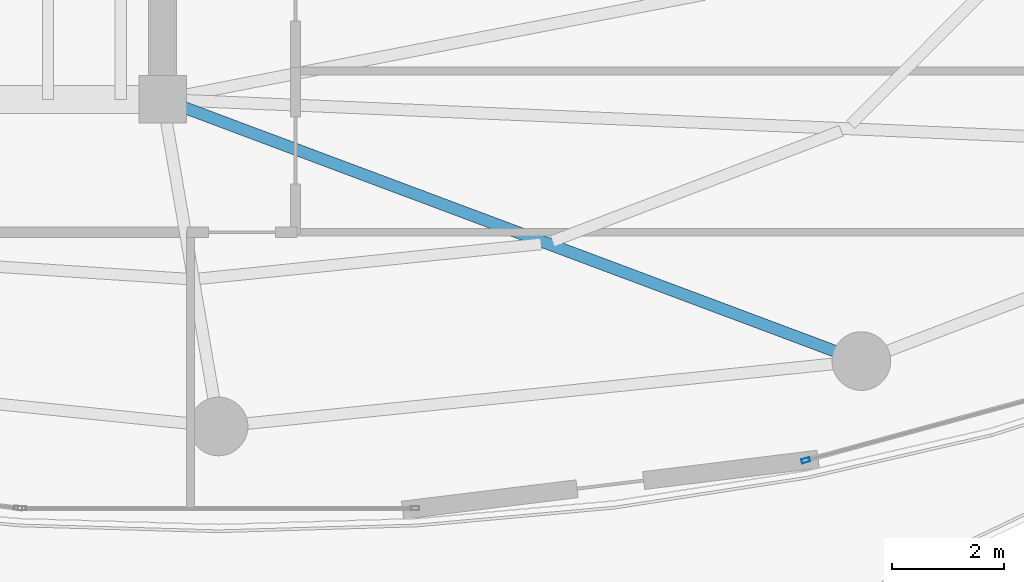
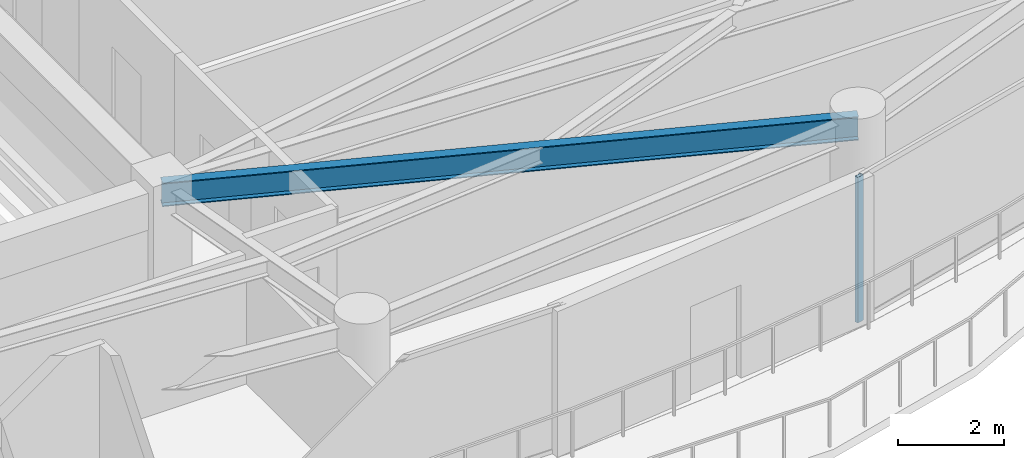
# One storey, part 11 of 31: 1 beam, 1 member, 1 element without a shape of its own.
"""IFC4 building model written with IfcOpenShell, lengths in metres."""

from ifc_helpers import new_model, si_unit, direction, frame, origin, origin_2d, place, context, subcontext, project, spatial, hollow_rectangle, i_section, extrude, material, layer, layer_set, material_profile, profile_set, type_object, element, aggregate, save


model = new_model("IFC4")

# Units and contexts
model_context = context("Model", 3, precision=1e-05, world=origin(), true_north=direction((0.0, 1.0)))
body_context = subcontext(model_context, "Body", "Model", "MODEL_VIEW")
ifc_project = project(units=[si_unit("LENGTHUNIT", "METRE"), si_unit("AREAUNIT", "SQUARE_METRE"), si_unit("VOLUMEUNIT", "CUBIC_METRE"), si_unit("PLANEANGLEUNIT", "RADIAN"), si_unit("MASSUNIT", "GRAM", prefix="KILO")], contexts=[model_context])

# Site, building, storey
site_placement = place(None, origin())
site = spatial("IfcSite", under=ifc_project, at=site_placement, CompositionType="ELEMENT")
building_placement = place(site_placement, origin())
building = spatial("IfcBuilding", under=site, at=building_placement, Name="Kazevale Care Tower and Concert Hall", CompositionType="ELEMENT")
storey_placement = place(building_placement, frame((0.0, 0.0, 235.199951171875)))
storey = spatial("IfcBuildingStorey", under=building, at=storey_placement, Name="L62", CompositionType="ELEMENT", Elevation=235.199951171875)

# Curtain wall, member
ifc_material_1 = material(Name="Aluminium 6063-T6 and Low-E Glass", Category="aluminium")
ifc_layer = layer(ifc_material_1, 0.179931640625)
ifc_layer_set = layer_set([ifc_layer], Name="Aluminium 6063-T6 and Low-E Glass")
curtain_wall_type = type_object("IfcCurtainWallType", Name="Sheltered Concave Balcony Curtain Wall CW-5", PredefinedType="NOTDEFINED", material=ifc_layer_set)
curtain_wall_placement = place(storey_placement, origin())
curtain_wall = element("IfcCurtainWall", 1, at=curtain_wall_placement, inside=storey, type_object=curtain_wall_type, Name="cw:L62:f04", PredefinedType="NOTDEFINED")
ifc_material_2 = material(Name="Aluminium 6063-T6", Category="aluminium")
ifc_material_profile_1 = material_profile(ifc_material_2, hollow_rectangle(XDim=0.074951171875, YDim=0.14990234375, WallThickness=0.00390625, at=origin_2d()), Name="ALU75x150x4")
ifc_profile_set_1 = profile_set([ifc_material_profile_1], Name="Aluminium 6063-T6")
member_type = type_object("IfcMemberType", Name="CW-5 Mullion ALU75x150x4", PredefinedType="MULLION", material=ifc_profile_set_1)
member_placement = place(storey_placement, frame((55.505126953125, 17.142822265625, 0.0), z_axis=(0.0, 0.0, 1.0), x_axis=(0.262848968947, -0.964836991167, 0.0)))
member = element("IfcMember", 2, at=member_placement, type_object=member_type, Name="CW-5 mullion 2", PredefinedType="MULLION", context=body_context, shape_type="SweptSolid", body=[
    extrude(hollow_rectangle(XDim=0.074951171875, YDim=0.14990234375, WallThickness=0.00390625, at=origin_2d()), origin(), (0.0, 0.0, 1.0), 3.360107421875),
])
aggregate(curtain_wall, [member])

# Beam
ifc_material_3 = material(Name="Steel ASTM A572 Gr 50", Category="steel")
ifc_material_profile_2 = material_profile(ifc_material_3, i_section(OverallWidth=0.2119140625, OverallDepth=0.5439453125, WebThickness=0.01318359375, FlangeThickness=0.021240234375, at=origin_2d()), Name="W530x123")
ifc_profile_set_2 = profile_set([ifc_material_profile_2], Name="Steel ASTM A572 Gr 50")
beam_type = type_object("IfcBeamType", Name="Radial Floor Girder W530x123", PredefinedType="BEAM", material=ifc_profile_set_2)
beam_placement = place(storey_placement, frame((44.0, 23.60009765625, 3.088134765625), z_axis=(0.936509460339, -0.350642311615, 0.0), x_axis=(0.350642311615, 0.936509460339, 0.0)))
element("IfcBeam", 3, at=beam_placement, inside=storey, type_object=beam_type, Name="beam:L62:rad:14", PredefinedType="BEAM", context=body_context, shape_type="SweptSolid", body=[
    extrude(i_section(OverallWidth=0.2119140625, OverallDepth=0.5439453125, WebThickness=0.01318359375, FlangeThickness=0.021240234375, at=origin_2d()), origin(), (0.0, 0.0, 1.0), 13.347412109375),
])

save(model, "model.ifc")
